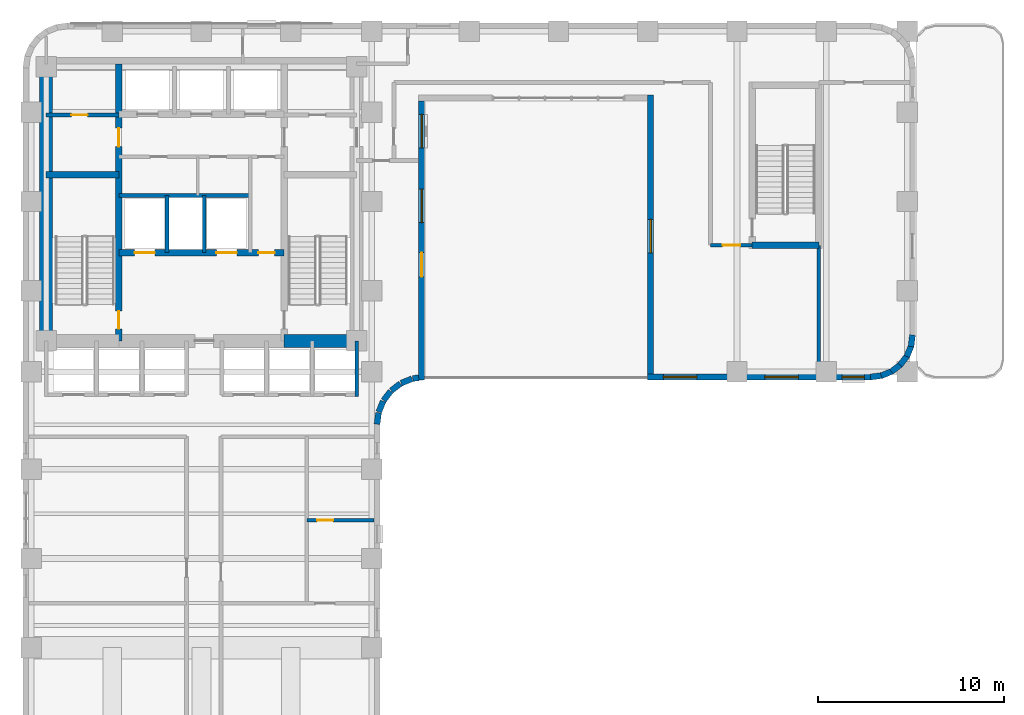
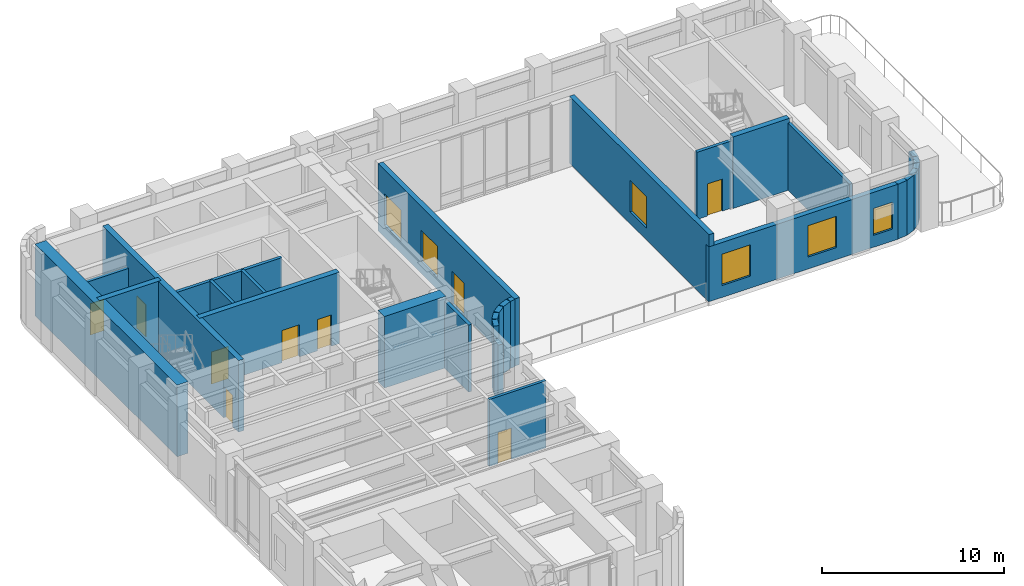
# One storey, part 7 of 12: 29 walls, 9 doors, 6 windows, 15 openings.
"""IFC4 building model written with IfcOpenShell, lengths in metres."""

from ifc_helpers import new_model, si_unit, direction, frame, frame_2d, origin, place, context, subcontext, project, spatial, rectangle, extrude, material, layer, layer_set, type_object, element, fill, save


model = new_model("IFC4")

# Units and contexts
model_context = context("Model", 3, precision=1e-05, world=origin(), true_north=direction((0.0, 1.0)))
body_context = subcontext(model_context, "Body", "Model", "MODEL_VIEW")
ifc_project = project(units=[si_unit("LENGTHUNIT", "METRE"), si_unit("AREAUNIT", "SQUARE_METRE"), si_unit("VOLUMEUNIT", "CUBIC_METRE"), si_unit("PLANEANGLEUNIT", "RADIAN"), si_unit("MASSUNIT", "GRAM", prefix="KILO")], contexts=[model_context])

# Site, building, storey
site_placement = place(None, origin())
site = spatial("IfcSite", under=ifc_project, at=site_placement, CompositionType="ELEMENT")
building_placement = place(site_placement, origin())
building = spatial("IfcBuilding", under=site, at=building_placement, Name="Orvandelia Arch Residences", CompositionType="ELEMENT")
storey_placement = place(building_placement, frame((0.0, 0.0, 97.0)))
storey = spatial("IfcBuildingStorey", under=building, at=storey_placement, Name="L25", CompositionType="ELEMENT", Elevation=97.0)

# Wall, openings, doors
ifc_material_1 = material(Name="Concrete C50/60", Category="concrete")
ifc_layer_1 = layer(ifc_material_1, 0.35009765625, Name="Concrete C50/60", Category="concrete")
ifc_layer_set_1 = layer_set([ifc_layer_1], Name="Concrete C50/60")
wall_type_1 = type_object("IfcWallType", Name="WL-CORE-350", PredefinedType="SHEAR", material=ifc_layer_set_1)
wall_1_placement = place(storey_placement, frame((9.9599609375, 30.89990234375, 0.0), z_axis=(0.0, 0.0, 1.0), x_axis=(0.0, 1.0, 0.0)))
wall_1 = element("IfcWall", 1, at=wall_1_placement, inside=storey, type_object=wall_type_1, Name="Core Shear Wall L25-WEB1", PredefinedType="SHEAR", context=body_context, shape_type="SweptSolid", body=[
    extrude(rectangle(XDim=14.900146484375, YDim=0.35009765625, at=frame_2d((7.4501953125, 0.0))), origin(), (0.0, 0.0, 1.0), 4.800048828125),
])
opening_1_placement = place(wall_1_placement, frame((0.64990234375, 0.0, 0.0)))
opening_1 = element("IfcOpeningElement", 2, at=opening_1_placement, cuts=wall_1, Name="Opening D7", PredefinedType="OPENING", context=body_context, shape_type="SweptSolid", body=[
    extrude(rectangle(XDim=0.949951171875, YDim=2.10009765625, at=frame_2d((0.47509765625, 1.050048828125))), frame((0.0, 0.18505859375, 0.0), z_axis=(0.0, -1.0, 0.0), x_axis=(1.0, 0.0, 0.0)), (0.0, 0.0, 1.0), 0.3701171875),
])
opening_2_placement = place(wall_1_placement, frame((10.449951171875, 0.0, 0.0)))
opening_2 = element("IfcOpeningElement", 3, at=opening_2_placement, cuts=wall_1, Name="Opening D6", PredefinedType="OPENING", context=body_context, shape_type="SweptSolid", body=[
    extrude(rectangle(XDim=1.0, YDim=2.14990234375, at=frame_2d((0.5, 1.074951171875))), frame((0.0, 0.18505859375, 0.0), z_axis=(0.0, -1.0, 0.0), x_axis=(1.0, 0.0, 0.0)), (0.0, 0.0, 1.0), 0.3701171875),
])
ifc_material_2 = material(Name="Smokeproof Painted Steel Fire Door", Category="steel")
door_type_1 = type_object("IfcDoorType", Name="DR-FD60-1000", OperationType="NOTDEFINED", PredefinedType="DOOR", material=ifc_material_2)
door_1_placement = place(opening_2_placement, origin())
door_1 = element("IfcDoor", 4, at=door_1_placement, inside=storey, type_object=door_type_1, Name="High-Rise Lift Hall West Vestibule Door L25", OperationType="SINGLE_SWING_LEFT", OverallHeight=2.14990234375, OverallWidth=1.0, PredefinedType="DOOR", context=body_context, shape_type="SweptSolid", body=[
    extrude(rectangle(XDim=1.0, YDim=2.14990234375, at=frame_2d((0.5, 1.074951171875))), frame((0.0, 0.02490234375, 0.0), z_axis=(0.0, -1.0, 0.0), x_axis=(1.0, 0.0, 0.0)), (0.0, 0.0, 1.0), 0.050048828125),
])
fill(opening_2, door_1)
ifc_material_3 = material(Name="Pressurised Stairwell Fire Door")
door_type_2 = type_object("IfcDoorType", Name="DR-STAIR-950", OperationType="NOTDEFINED", PredefinedType="DOOR", material=ifc_material_3)
door_2_placement = place(opening_1_placement, origin())
door_2 = element("IfcDoor", 5, at=door_2_placement, inside=storey, type_object=door_type_2, Name="Stairwell ST-1 Fire Door L25", OperationType="SINGLE_SWING_LEFT", OverallHeight=2.10009765625, OverallWidth=0.949951171875, PredefinedType="DOOR", context=body_context, shape_type="SweptSolid", body=[
    extrude(rectangle(XDim=0.949951171875, YDim=2.10009765625, at=frame_2d((0.47509765625, 1.050048828125))), frame((0.0, 0.02490234375, 0.0), z_axis=(0.0, -1.0, 0.0), x_axis=(1.0, 0.0, 0.0)), (0.0, 0.0, 1.0), 0.050048828125),
])
fill(opening_1, door_2)

# Wall
wall_2_placement = place(storey_placement, frame((6.050048828125, 39.85009765625, 0.0), z_axis=(0.0, 0.0, 1.0), x_axis=(1.0, 0.0, 0.0)))
element("IfcWall", 6, at=wall_2_placement, inside=storey, type_object=wall_type_1, Name="Core Shear Wall L25-HZ1", PredefinedType="SHEAR", context=body_context, shape_type="SweptSolid", body=[
    extrude(rectangle(XDim=3.909912109375, YDim=0.35009765625, at=frame_2d((1.955078125, 0.0))), origin(), (0.0, 0.0, 1.0), 4.800048828125),
])

# Wall, openings, doors
wall_3_placement = place(storey_placement, frame((9.9599609375, 35.64990234375, 0.0), z_axis=(0.0, 0.0, 1.0), x_axis=(1.0, 0.0, 0.0)))
wall_3 = element("IfcWall", 7, at=wall_3_placement, inside=storey, type_object=wall_type_1, Name="Core Shear Wall L25-HZ3", PredefinedType="SHEAR", context=body_context, shape_type="SweptSolid", body=[
    extrude(rectangle(XDim=8.880126953125, YDim=0.35009765625, at=frame_2d((4.43994140625, 0.0))), origin(), (0.0, 0.0, 1.0), 4.800048828125),
])
opening_3_placement = place(wall_3_placement, frame((0.840087890625, 0.0, 0.0)))
opening_3 = element("IfcOpeningElement", 8, at=opening_3_placement, cuts=wall_3, Name="Opening FLD", PredefinedType="OPENING", context=body_context, shape_type="SweptSolid", body=[
    extrude(rectangle(XDim=1.10009765625, YDim=2.14990234375, at=frame_2d((0.550048828125, 1.074951171875))), frame((0.0, 0.18505859375, 0.0), z_axis=(0.0, -1.0, 0.0), x_axis=(1.0, 0.0, 0.0)), (0.0, 0.0, 1.0), 0.3701171875),
])
opening_4_placement = place(wall_3_placement, frame((5.239990234375, 0.0, 0.0)))
opening_4 = element("IfcOpeningElement", 9, at=opening_4_placement, cuts=wall_3, Name="Opening FLD", PredefinedType="OPENING", context=body_context, shape_type="SweptSolid", body=[
    extrude(rectangle(XDim=1.10009765625, YDim=2.14990234375, at=frame_2d((0.550048828125, 1.074951171875))), frame((0.0, 0.18505859375, 0.0), z_axis=(0.0, -1.0, 0.0), x_axis=(1.0, 0.0, 0.0)), (0.0, 0.0, 1.0), 0.3701171875),
])
opening_5_placement = place(wall_3_placement, frame((7.5, 0.0, 0.0)))
opening_5 = element("IfcOpeningElement", 10, at=opening_5_placement, cuts=wall_3, Name="Opening D5", PredefinedType="OPENING", context=body_context, shape_type="SweptSolid", body=[
    extrude(rectangle(XDim=0.8798828125, YDim=2.10009765625, at=frame_2d((0.43994140625, 1.050048828125))), frame((0.0, 0.18505859375, 0.0), z_axis=(0.0, -1.0, 0.0), x_axis=(1.0, 0.0, 0.0)), (0.0, 0.0, 1.0), 0.3701171875),
])
ifc_material_4 = material(Name="Firefighting Lift Stainless Sliding Door")
door_type_3 = type_object("IfcDoorType", Name="DR-FLFT-1100", OperationType="NOTDEFINED", PredefinedType="DOOR", material=ifc_material_4)
door_3_placement = place(opening_3_placement, origin())
door_3 = element("IfcDoor", 11, at=door_3_placement, inside=storey, type_object=door_type_3, Name="Firefighting Lift Landing Door FLD-FL1-L25", OperationType="SLIDING_TO_LEFT", OverallHeight=2.14990234375, OverallWidth=1.10009765625, PredefinedType="DOOR", context=body_context, shape_type="SweptSolid", body=[
    extrude(rectangle(XDim=1.10009765625, YDim=2.14990234375, at=frame_2d((0.550048828125, 1.074951171875))), frame((0.0, 0.02490234375, 0.0), z_axis=(0.0, -1.0, 0.0), x_axis=(1.0, 0.0, 0.0)), (0.0, 0.0, 1.0), 0.050048828125),
])
fill(opening_3, door_3)
door_4_placement = place(opening_4_placement, origin())
door_4 = element("IfcDoor", 12, at=door_4_placement, inside=storey, type_object=door_type_3, Name="Firefighting Lift Landing Door FLD-FL2-L25", OperationType="SLIDING_TO_RIGHT", OverallHeight=2.14990234375, OverallWidth=1.10009765625, PredefinedType="DOOR", context=body_context, shape_type="SweptSolid", body=[
    extrude(rectangle(XDim=1.10009765625, YDim=2.14990234375, at=frame_2d((0.550048828125, 1.074951171875))), frame((0.0, 0.02490234375, 0.0), z_axis=(0.0, -1.0, 0.0), x_axis=(1.0, 0.0, 0.0)), (0.0, 0.0, 1.0), 0.050048828125),
])
fill(opening_4, door_4)
ifc_material_5 = material(Name="Painted Galvanised Steel Service Door", Category="steel")
door_type_4 = type_object("IfcDoorType", Name="DR-SRV-880", OperationType="NOTDEFINED", PredefinedType="DOOR", material=ifc_material_5)
door_5_placement = place(opening_5_placement, origin())
door_5 = element("IfcDoor", 13, at=door_5_placement, inside=storey, type_object=door_type_4, Name="Core Stairway Passage South Fire Door L25", OperationType="SINGLE_SWING_LEFT", OverallHeight=2.10009765625, OverallWidth=0.8798828125, PredefinedType="DOOR", context=body_context, shape_type="SweptSolid", body=[
    extrude(rectangle(XDim=0.8798828125, YDim=2.10009765625, at=frame_2d((0.43994140625, 1.050048828125))), frame((0.0, 0.02490234375, 0.0), z_axis=(0.0, -1.0, 0.0), x_axis=(1.0, 0.0, 0.0)), (0.0, 0.0, 1.0), 0.050048828125),
])
fill(opening_5, door_5)

# Walls
wall_4_placement = place(storey_placement, frame((44.02001953125, 36.0400390625, 0.0), z_axis=(0.0, 0.0, 1.0), x_axis=(1.0, 0.0, 0.0)))
element("IfcWall", 14, at=wall_4_placement, inside=storey, type_object=wall_type_1, Name="East Stair Core Shear Wall L25-S", PredefinedType="SHEAR", context=body_context, shape_type="SweptSolid", body=[
    extrude(rectangle(XDim=3.580078125, YDim=0.35009765625, at=frame_2d((1.7900390625, 0.0))), origin(), (0.0, 0.0, 1.0), 4.800048828125),
])
ifc_material_6 = material(Name="Concrete C80/95", Category="concrete")
ifc_layer_2 = layer(ifc_material_6, 0.699951171875, Name="Concrete C80/95", Category="concrete")
ifc_layer_set_2 = layer_set([ifc_layer_2], Name="Concrete C80/95")
wall_type_2 = type_object("IfcWallType", Name="WL-CORE-700", PredefinedType="SHEAR", material=ifc_layer_set_2)
wall_5_placement = place(storey_placement, frame((6.050048828125, 30.550048828125, 0.0), z_axis=(0.0, 0.0, 1.0), x_axis=(0.0, 1.0, 0.0)))
element("IfcWall", 15, at=wall_5_placement, inside=storey, type_object=wall_type_2, Name="Core Shear Wall L25-W", PredefinedType="SHEAR", context=body_context, shape_type="SweptSolid", body=[
    extrude(rectangle(XDim=15.599853515625, YDim=0.699951171875, at=frame_2d((7.7998046875, 0.0))), origin(), (0.0, 0.0, 1.0), 4.800048828125),
])
wall_6_placement = place(storey_placement, frame((18.840087890625, 30.89990234375, 0.0), z_axis=(0.0, 0.0, 1.0), x_axis=(1.0, 0.0, 0.0)))
element("IfcWall", 16, at=wall_6_placement, inside=storey, type_object=wall_type_2, Name="Core Shear Wall L25-SE", PredefinedType="SHEAR", context=body_context, shape_type="SweptSolid", body=[
    extrude(rectangle(XDim=3.909912109375, YDim=0.699951171875, at=frame_2d((1.955078125, 0.0))), origin(), (0.0, 0.0, 1.0), 4.800048828125),
])

# Wall, opening, door
ifc_material_7 = material(Name="Fire-Rated Corridor Partition")
ifc_layer_3 = layer(ifc_material_7, 0.199951171875, Name="Fire-Rated Corridor Partition")
ifc_layer_set_3 = layer_set([ifc_layer_3], Name="Fire-Rated Corridor Partition")
wall_type_3 = type_object("IfcWallType", Name="WL-CORR-200", PredefinedType="PARTITIONING", material=ifc_layer_set_3)
wall_7_placement = place(storey_placement, frame((41.780029296875, 36.050048828125, 0.0), z_axis=(0.0, 0.0, 1.0), x_axis=(1.0, 0.0, 0.0)))
wall_7 = element("IfcWall", 17, at=wall_7_placement, inside=storey, type_object=wall_type_3, Name="Interior Partition Wall WL-L25-SKESS", PredefinedType="PARTITIONING", context=body_context, shape_type="SweptSolid", body=[
    extrude(rectangle(XDim=2.239990234375, YDim=0.199951171875, at=frame_2d((1.1201171875, 0.0))), origin(), (0.0, 0.0, 1.0), 4.5),
])
opening_6_placement = place(wall_7_placement, frame((0.64990234375, 0.0, 0.0)))
opening_6 = element("IfcOpeningElement", 18, at=opening_6_placement, cuts=wall_7, Name="Opening D2", PredefinedType="OPENING", context=body_context, shape_type="SweptSolid", body=[
    extrude(rectangle(XDim=0.949951171875, YDim=2.14990234375, at=frame_2d((0.47509765625, 1.074951171875))), frame((0.0, 0.10986328125, 0.0), z_axis=(0.0, -1.0, 0.0), x_axis=(1.0, 0.0, 0.0)), (0.0, 0.0, 1.0), 0.219970703125),
])
ifc_material_8 = material(Name="Solid-Core Timber Interior Fire Door", Category="wood")
door_type_5 = type_object("IfcDoorType", Name="DR-APT-950", OperationType="NOTDEFINED", PredefinedType="DOOR", material=ifc_material_8)
door_6_placement = place(opening_6_placement, origin())
door_6 = element("IfcDoor", 19, at=door_6_placement, inside=storey, type_object=door_type_5, Name="DR-L25-SKS3", OperationType="SINGLE_SWING_LEFT", OverallHeight=2.14990234375, OverallWidth=0.949951171875, PredefinedType="DOOR", context=body_context, shape_type="SweptSolid", body=[
    extrude(rectangle(XDim=0.949951171875, YDim=2.14990234375, at=frame_2d((0.47509765625, 1.074951171875))), frame((0.0, 0.02490234375, 0.0), z_axis=(0.0, -1.0, 0.0), x_axis=(1.0, 0.0, 0.0)), (0.0, 0.0, 1.0), 0.050048828125),
])
fill(opening_6, door_6)

# Walls
ifc_material_9 = material(Name="Concrete C40/50", Category="concrete")
ifc_layer_4 = layer(ifc_material_9, 0.199951171875, Name="Concrete C40/50", Category="concrete")
ifc_layer_set_4 = layer_set([ifc_layer_4], Name="Concrete C40/50")
wall_type_4 = type_object("IfcWallType", Name="WL-DEM-200", PredefinedType="SOLIDWALL", material=ifc_layer_set_4)
wall_8_placement = place(storey_placement, frame((47.60009765625, 29.1201171875, 0.0), z_axis=(0.0, 0.0, 1.0), x_axis=(0.0, 1.0, 0.0)))
element("IfcWall", 20, at=wall_8_placement, inside=storey, type_object=wall_type_4, Name="Interior Partition Wall WL-L25-SKS3E", PredefinedType="SOLIDWALL", context=body_context, shape_type="SweptSolid", body=[
    extrude(rectangle(XDim=6.919921875, YDim=0.199951171875, at=frame_2d((3.4599609375, 0.0))), origin(), (0.0, 0.0, 1.0), 4.5),
])
ifc_material_10 = material(Name="Precast concrete C40/50", Category="concrete")
ifc_layer_5 = layer(ifc_material_10, 0.320068359375, Name="Precast concrete C40/50", Category="concrete")
ifc_layer_set_5 = layer_set([ifc_layer_5], Name="Precast concrete C40/50")
wall_type_5 = type_object("IfcWallType", Name="WL-EXT-STONE-320", PredefinedType="STANDARD", material=ifc_layer_set_5)
wall_9_placement = place(storey_placement, frame((52.641357421875, 31.220947265625, 0.0), z_axis=(0.0, 0.0, 1.0), x_axis=(-0.130504898859, -0.991447664465, 0.0)))
element("IfcWall", 21, at=wall_9_placement, inside=storey, type_object=wall_type_5, Name="Coral-Limestone Precast Facade Wall L25-015", PredefinedType="STANDARD", context=body_context, shape_type="SweptSolid", body=[
    extrude(rectangle(XDim=0.626708984375, YDim=0.320068359375, at=frame_2d((0.3134765625, 0.0))), origin(), (0.0, 0.0, 1.0), 3.679931640625),
])
wall_10_placement = place(storey_placement, frame((52.5703125, 30.639892578125, 0.0), z_axis=(0.0, 0.0, 1.0), x_axis=(-0.382455093999, -0.923974080304, 0.0)))
element("IfcWall", 22, at=wall_10_placement, inside=storey, type_object=wall_type_5, Name="Coral-Limestone Precast Facade Wall L25-016", PredefinedType="STANDARD", context=body_context, shape_type="SweptSolid", body=[
    extrude(rectangle(XDim=0.626220703125, YDim=0.320068359375, at=frame_2d((0.31298828125, 0.0))), origin(), (0.0, 0.0, 1.0), 3.679931640625),
])
wall_11_placement = place(storey_placement, frame((52.3515625, 30.097412109375, 0.0), z_axis=(0.0, 0.0, 1.0), x_axis=(-0.608693302629, -0.793405610854, 0.0)))
element("IfcWall", 23, at=wall_11_placement, inside=storey, type_object=wall_type_5, Name="Coral-Limestone Precast Facade Wall L25-017", PredefinedType="STANDARD", context=body_context, shape_type="SweptSolid", body=[
    extrude(rectangle(XDim=0.62646484375, YDim=0.320068359375, at=frame_2d((0.313232421875, 0.0))), origin(), (0.0, 0.0, 1.0), 3.679931640625),
])
wall_12_placement = place(storey_placement, frame((51.999755859375, 29.6298828125, 0.0), z_axis=(0.0, 0.0, 1.0), x_axis=(-0.7932174212, -0.608938521285, 0.0)))
element("IfcWall", 24, at=wall_12_placement, inside=storey, type_object=wall_type_5, Name="Coral-Limestone Precast Facade Wall L25-018", PredefinedType="STANDARD", context=body_context, shape_type="SweptSolid", body=[
    extrude(rectangle(XDim=0.626708984375, YDim=0.320068359375, at=frame_2d((0.3134765625, 0.0))), origin(), (0.0, 0.0, 1.0), 3.679931640625),
])
for number, where, z_axis, x_axis, name in (
    (25, (51.538818359375, 29.269287109375, 0.0), (0.0, 0.0, 1.0), (-0.92389335771, -0.382650053678, 0.0), "Coral-Limestone Precast Facade Wall L25-019"),
    (26, (51.000244140625, 29.040283203125, 0.0), (0.0, 0.0, 1.0), (-0.9914410257, -0.130555323746, 0.0), "Coral-Limestone Precast Facade Wall L25-020"),
):
    element("IfcWall", number, at=place(storey_placement, frame(where, z_axis=z_axis, x_axis=x_axis)), inside=storey, type_object=wall_type_5, Name=name, PredefinedType="STANDARD", context=body_context, shape_type="SweptSolid", body=[
        extrude(rectangle(XDim=0.62646484375, YDim=0.320068359375, at=frame_2d((0.313232421875, 0.0))), origin(), (0.0, 0.0, 1.0), 3.679931640625),
    ])

# Wall, openings, windows
wall_13_placement = place(storey_placement, frame((50.39990234375, 28.9599609375, 0.0), z_axis=(0.0, 0.0, 1.0), x_axis=(-1.0, 0.0, 0.0)))
wall_13 = element("IfcWall", 27, at=wall_13_placement, inside=storey, type_object=wall_type_5, Name="Coral-Limestone Precast Facade Wall L25-021", PredefinedType="STANDARD", context=body_context, shape_type="SweptSolid", body=[
    extrude(rectangle(XDim=12.0, YDim=0.320068359375, at=frame_2d((6.0, 0.0))), origin(), (0.0, 0.0, 1.0), 3.679931640625),
])
opening_7_placement = place(wall_13_placement, frame((9.360107421875, 0.0, 0.800048828125)))
opening_7 = element("IfcOpeningElement", 28, at=opening_7_placement, cuts=wall_13, Name="Opening W1", PredefinedType="OPENING", context=body_context, shape_type="SweptSolid", body=[
    extrude(rectangle(XDim=1.800048828125, YDim=2.10009765625, at=frame_2d((0.89990234375, 1.050048828125))), frame((0.0, 0.169921875, 0.0), z_axis=(0.0, -1.0, 0.0), x_axis=(1.0, 0.0, 0.0)), (0.0, 0.0, 1.0), 0.340087890625),
])
opening_8_placement = place(wall_13_placement, frame((0.344970703125, 0.0, 0.800048828125)))
opening_8 = element("IfcOpeningElement", 29, at=opening_8_placement, cuts=wall_13, Name="Opening W3", PredefinedType="OPENING", context=body_context, shape_type="SweptSolid", body=[
    extrude(rectangle(XDim=1.199951171875, YDim=1.800048828125, at=frame_2d((0.60009765625, 0.89990234375))), frame((0.0, 0.169921875, 0.0), z_axis=(0.0, -1.0, 0.0), x_axis=(1.0, 0.0, 0.0)), (0.0, 0.0, 1.0), 0.340087890625),
])
opening_9_placement = place(wall_13_placement, frame((3.89990234375, 0.0, 0.800048828125)))
opening_9 = element("IfcOpeningElement", 30, at=opening_9_placement, cuts=wall_13, Name="Opening W1", PredefinedType="OPENING", context=body_context, shape_type="SweptSolid", body=[
    extrude(rectangle(XDim=1.800048828125, YDim=2.10009765625, at=frame_2d((0.89990234375, 1.050048828125))), frame((0.0, 0.169921875, 0.0), z_axis=(0.0, -1.0, 0.0), x_axis=(1.0, 0.0, 0.0)), (0.0, 0.0, 1.0), 0.340087890625),
])
ifc_material_11 = material(Name="Tempered Low-E Insulated Glazing", Category="glass")
window_type_1 = type_object("IfcWindowType", Name="WIN-RES-1200x1800", PartitioningType="SINGLE_PANEL", PredefinedType="WINDOW", material=ifc_material_11)
window_1_placement = place(opening_8_placement, origin())
window_1 = element("IfcWindow", 31, at=window_1_placement, inside=storey, type_object=window_type_1, Name="Recessed Punched Window L25-006", OverallHeight=1.800048828125, OverallWidth=1.199951171875, PartitioningType="SINGLE_PANEL", PredefinedType="WINDOW", context=body_context, shape_type="SweptSolid", body=[
    extrude(rectangle(XDim=1.199951171875, YDim=1.800048828125, at=frame_2d((0.60009765625, 0.89990234375))), frame((0.0, 0.030029296875, 0.0), z_axis=(0.0, -1.0, 0.0), x_axis=(1.0, 0.0, 0.0)), (0.0, 0.0, 1.0), 0.06005859375),
])
fill(opening_8, window_1)
window_type_2 = type_object("IfcWindowType", Name="WIN-RES-1800x2100", PartitioningType="SINGLE_PANEL", PredefinedType="WINDOW", material=ifc_material_11)
window_2_placement = place(opening_7_placement, origin())
window_2 = element("IfcWindow", 32, at=window_2_placement, inside=storey, type_object=window_type_2, Name="Recessed Punched Window L25-005", OverallHeight=2.10009765625, OverallWidth=1.800048828125, PartitioningType="SINGLE_PANEL", PredefinedType="WINDOW", context=body_context, shape_type="SweptSolid", body=[
    extrude(rectangle(XDim=1.800048828125, YDim=2.10009765625, at=frame_2d((0.89990234375, 1.050048828125))), frame((0.0, 0.030029296875, 0.0), z_axis=(0.0, -1.0, 0.0), x_axis=(1.0, 0.0, 0.0)), (0.0, 0.0, 1.0), 0.06005859375),
])
fill(opening_7, window_2)
window_3_placement = place(opening_9_placement, origin())
window_3 = element("IfcWindow", 33, at=window_3_placement, inside=storey, type_object=window_type_2, Name="Recessed Punched Window L25-007", OverallHeight=2.10009765625, OverallWidth=1.800048828125, PartitioningType="SINGLE_PANEL", PredefinedType="WINDOW", context=body_context, shape_type="SweptSolid", body=[
    extrude(rectangle(XDim=1.800048828125, YDim=2.10009765625, at=frame_2d((0.89990234375, 1.050048828125))), frame((0.0, 0.030029296875, 0.0), z_axis=(0.0, -1.0, 0.0), x_axis=(1.0, 0.0, 0.0)), (0.0, 0.0, 1.0), 0.06005859375),
])
fill(opening_9, window_3)

# Wall, opening, window
wall_14_placement = place(storey_placement, frame((38.56005859375, 28.800048828125, 0.0), z_axis=(0.0, 0.0, 1.0), x_axis=(0.0, 1.0, 0.0)))
wall_14 = element("IfcWall", 34, at=wall_14_placement, inside=storey, type_object=wall_type_5, Name="Coral-Limestone Precast Facade Wall L25-022", PredefinedType="STANDARD", context=body_context, shape_type="SweptSolid", body=[
    extrude(rectangle(XDim=15.320068359375, YDim=0.320068359375, at=frame_2d((7.66015625, 0.0))), origin(), (0.0, 0.0, 1.0), 4.5),
])
opening_10_placement = place(wall_14_placement, frame((6.840087890625, 0.0, 0.800048828125)))
opening_10 = element("IfcOpeningElement", 35, at=opening_10_placement, cuts=wall_14, Name="Opening W1", PredefinedType="OPENING", context=body_context, shape_type="SweptSolid", body=[
    extrude(rectangle(XDim=1.800048828125, YDim=2.10009765625, at=frame_2d((0.89990234375, 1.050048828125))), frame((0.0, 0.169921875, 0.0), z_axis=(0.0, -1.0, 0.0), x_axis=(1.0, 0.0, 0.0)), (0.0, 0.0, 1.0), 0.340087890625),
])
window_4_placement = place(opening_10_placement, origin())
window_4 = element("IfcWindow", 36, at=window_4_placement, inside=storey, type_object=window_type_2, Name="Recessed Punched Window L25-008", OverallHeight=2.10009765625, OverallWidth=1.800048828125, PartitioningType="SINGLE_PANEL", PredefinedType="WINDOW", context=body_context, shape_type="SweptSolid", body=[
    extrude(rectangle(XDim=1.800048828125, YDim=2.10009765625, at=frame_2d((0.89990234375, 1.050048828125))), frame((0.0, 0.030029296875, 0.0), z_axis=(0.0, -1.0, 0.0), x_axis=(1.0, 0.0, 0.0)), (0.0, 0.0, 1.0), 0.06005859375),
])
fill(opening_10, window_4)

# Wall, openings, door, windows
wall_15_placement = place(storey_placement, frame((26.239990234375, 43.800048828125, 0.0), z_axis=(0.0, 0.0, 1.0), x_axis=(0.0, -1.0, 0.0)))
wall_15 = element("IfcWall", 37, at=wall_15_placement, inside=storey, type_object=wall_type_5, Name="Coral-Limestone Precast Facade Wall L25-025", PredefinedType="STANDARD", context=body_context, shape_type="SweptSolid", body=[
    extrude(rectangle(XDim=15.0, YDim=0.320068359375, at=frame_2d((7.5, 0.0))), origin(), (0.0, 0.0, 1.0), 4.5),
])
opening_11_placement = place(wall_15_placement, frame((8.14990234375, 0.0, 0.0)))
opening_11 = element("IfcOpeningElement", 38, at=opening_11_placement, cuts=wall_15, Name="Opening TD1", PredefinedType="OPENING", context=body_context, shape_type="SweptSolid", body=[
    extrude(rectangle(XDim=1.300048828125, YDim=2.199951171875, at=frame_2d((0.64990234375, 1.10009765625))), frame((0.0, 0.169921875, 0.0), z_axis=(0.0, -1.0, 0.0), x_axis=(1.0, 0.0, 0.0)), (0.0, 0.0, 1.0), 0.340087890625),
])
opening_12_placement = place(wall_15_placement, frame((0.719970703125, 0.0, 0.800048828125)))
opening_12 = element("IfcOpeningElement", 39, at=opening_12_placement, cuts=wall_15, Name="Opening W1", PredefinedType="OPENING", context=body_context, shape_type="SweptSolid", body=[
    extrude(rectangle(XDim=1.800048828125, YDim=2.10009765625, at=frame_2d((0.89990234375, 1.050048828125))), frame((0.0, 0.169921875, 0.0), z_axis=(0.0, -1.0, 0.0), x_axis=(1.0, 0.0, 0.0)), (0.0, 0.0, 1.0), 0.340087890625),
])
opening_13_placement = place(wall_15_placement, frame((4.735107421875, 0.0, 0.800048828125)))
opening_13 = element("IfcOpeningElement", 40, at=opening_13_placement, cuts=wall_15, Name="Opening W1", PredefinedType="OPENING", context=body_context, shape_type="SweptSolid", body=[
    extrude(rectangle(XDim=1.800048828125, YDim=2.10009765625, at=frame_2d((0.89990234375, 1.050048828125))), frame((0.0, 0.169921875, 0.0), z_axis=(0.0, -1.0, 0.0), x_axis=(1.0, 0.0, 0.0)), (0.0, 0.0, 1.0), 0.340087890625),
])
ifc_material_12 = material(Name="Thermally Broken Aluminium Glazed Door", Category="aluminium")
door_type_6 = type_object("IfcDoorType", Name="DR-TERR-GLAZ-1300", OperationType="NOTDEFINED", PredefinedType="DOOR", material=ifc_material_12)
door_7_placement = place(opening_11_placement, origin())
door_7 = element("IfcDoor", 41, at=door_7_placement, inside=storey, type_object=door_type_6, Name="Glazed Sky-Terrace Access Door TERR-L25-WAIST", OperationType="SINGLE_SWING_LEFT", OverallHeight=2.199951171875, OverallWidth=1.300048828125, PredefinedType="DOOR", context=body_context, shape_type="SweptSolid", body=[
    extrude(rectangle(XDim=1.300048828125, YDim=2.199951171875, at=frame_2d((0.64990234375, 1.10009765625))), frame((0.0, 0.02490234375, 0.0), z_axis=(0.0, -1.0, 0.0), x_axis=(1.0, 0.0, 0.0)), (0.0, 0.0, 1.0), 0.050048828125),
])
fill(opening_11, door_7)
window_5_placement = place(opening_12_placement, origin())
window_5 = element("IfcWindow", 42, at=window_5_placement, inside=storey, type_object=window_type_2, Name="Recessed Punched Window L25-009", OverallHeight=2.10009765625, OverallWidth=1.800048828125, PartitioningType="SINGLE_PANEL", PredefinedType="WINDOW", context=body_context, shape_type="SweptSolid", body=[
    extrude(rectangle(XDim=1.800048828125, YDim=2.10009765625, at=frame_2d((0.89990234375, 1.050048828125))), frame((0.0, 0.030029296875, 0.0), z_axis=(0.0, -1.0, 0.0), x_axis=(1.0, 0.0, 0.0)), (0.0, 0.0, 1.0), 0.06005859375),
])
fill(opening_12, window_5)
window_6_placement = place(opening_13_placement, origin())
window_6 = element("IfcWindow", 43, at=window_6_placement, inside=storey, type_object=window_type_2, Name="Recessed Punched Window L25-010", OverallHeight=2.10009765625, OverallWidth=1.800048828125, PartitioningType="SINGLE_PANEL", PredefinedType="WINDOW", context=body_context, shape_type="SweptSolid", body=[
    extrude(rectangle(XDim=1.800048828125, YDim=2.10009765625, at=frame_2d((0.89990234375, 1.050048828125))), frame((0.0, 0.030029296875, 0.0), z_axis=(0.0, -1.0, 0.0), x_axis=(1.0, 0.0, 0.0)), (0.0, 0.0, 1.0), 0.06005859375),
])
fill(opening_13, window_6)

# Walls
wall_16_placement = place(storey_placement, frame((26.081787109375, 28.91943359375, 0.0), z_axis=(0.0, 0.0, 1.0), x_axis=(-0.991512688813, -0.130009953168, 0.0)))
element("IfcWall", 44, at=wall_16_placement, inside=storey, type_object=wall_type_5, Name="Coral-Limestone Precast Facade Wall L25-026", PredefinedType="STANDARD", context=body_context, shape_type="SweptSolid", body=[
    extrude(rectangle(XDim=0.32666015625, YDim=0.320068359375, at=frame_2d((0.163330078125, 0.0))), origin(), (0.0, 0.0, 1.0), 4.5),
])
wall_17_placement = place(storey_placement, frame((25.717529296875, 28.865966796875, 0.0), z_axis=(0.0, 0.0, 1.0), x_axis=(-0.923836271867, -0.382787856107, 0.0)))
element("IfcWall", 45, at=wall_17_placement, inside=storey, type_object=wall_type_5, Name="Coral-Limestone Precast Facade Wall L25-027", PredefinedType="STANDARD", context=body_context, shape_type="SweptSolid", body=[
    extrude(rectangle(XDim=0.626220703125, YDim=0.320068359375, at=frame_2d((0.31298828125, 0.0))), origin(), (0.0, 0.0, 1.0), 4.5),
])
for number, where, z_axis, x_axis, name in (
    (46, (25.1025390625, 28.60546875, 0.0), (0.0, 0.0, 1.0), (-0.793405610854, -0.608693302629, 0.0), "Coral-Limestone Precast Facade Wall L25-028"),
    (47, (24.575927734375, 28.194580078125, 0.0), (0.0, 0.0, 1.0), (-0.608693302629, -0.793405610854, 0.0), "Coral-Limestone Precast Facade Wall L25-029"),
):
    element("IfcWall", number, at=place(storey_placement, frame(where, z_axis=z_axis, x_axis=x_axis)), inside=storey, type_object=wall_type_5, Name=name, PredefinedType="STANDARD", context=body_context, shape_type="SweptSolid", body=[
        extrude(rectangle(XDim=0.62646484375, YDim=0.320068359375, at=frame_2d((0.313232421875, 0.0))), origin(), (0.0, 0.0, 1.0), 4.5),
    ])
wall_18_placement = place(storey_placement, frame((24.173583984375, 27.6611328125, 0.0), z_axis=(0.0, 0.0, 1.0), x_axis=(-0.382455093999, -0.923974080304, 0.0)))
element("IfcWall", 48, at=wall_18_placement, inside=storey, type_object=wall_type_5, Name="Coral-Limestone Precast Facade Wall L25-030", PredefinedType="STANDARD", context=body_context, shape_type="SweptSolid", body=[
    extrude(rectangle(XDim=0.626220703125, YDim=0.320068359375, at=frame_2d((0.31298828125, 0.0))), origin(), (0.0, 0.0, 1.0), 4.5),
])
wall_19_placement = place(storey_placement, frame((23.923095703125, 27.0419921875, 0.0), z_axis=(0.0, 0.0, 1.0), x_axis=(-0.130555323746, -0.9914410257, 0.0)))
element("IfcWall", 49, at=wall_19_placement, inside=storey, type_object=wall_type_5, Name="Coral-Limestone Precast Facade Wall L25-031", PredefinedType="STANDARD", context=body_context, shape_type="SweptSolid", body=[
    extrude(rectangle(XDim=0.62646484375, YDim=0.320068359375, at=frame_2d((0.313232421875, 0.0))), origin(), (0.0, 0.0, 1.0), 3.679931640625),
])
ifc_material_13 = material(Name="Fire-Rated Shaft Enclosure Wall")
ifc_layer_6 = layer(ifc_material_13, 0.199951171875, Name="Fire-Rated Shaft Enclosure Wall")
ifc_layer_set_6 = layer_set([ifc_layer_6], Name="Fire-Rated Shaft Enclosure Wall")
wall_type_6 = type_object("IfcWallType", Name="WL-SHAFT-200", PredefinedType="POLYGONAL", material=ifc_layer_set_6)
wall_20_placement = place(storey_placement, frame((9.9599609375, 38.719970703125, 0.0), z_axis=(0.0, 0.0, 1.0), x_axis=(1.0, 0.0, 0.0)))
element("IfcWall", 50, at=wall_20_placement, inside=storey, type_object=wall_type_6, Name="Interior Partition Wall WL-L25-FLN", PredefinedType="POLYGONAL", context=body_context, shape_type="SweptSolid", body=[
    extrude(rectangle(XDim=7.06005859375, YDim=0.199951171875, at=frame_2d((3.530029296875, 0.0))), origin(), (0.0, 0.0, 1.0), 4.5),
])
for number, where, z_axis, x_axis, name in (
    (51, (12.550048828125, 35.64990234375, 0.0), (0.0, 0.0, 1.0), (0.0, 1.0, 0.0), "Interior Partition Wall WL-L25-FLM1"),
    (52, (14.550048828125, 35.64990234375, 0.0), (0.0, 0.0, 1.0), (0.0, 1.0, 0.0), "Interior Partition Wall WL-L25-FLM2"),
):
    element("IfcWall", number, at=place(storey_placement, frame(where, z_axis=z_axis, x_axis=x_axis)), inside=storey, type_object=wall_type_6, Name=name, PredefinedType="POLYGONAL", context=body_context, shape_type="SweptSolid", body=[
        extrude(rectangle(XDim=3.070068359375, YDim=0.199951171875, at=frame_2d((1.53515625, 0.0))), origin(), (0.0, 0.0, 1.0), 4.5),
    ])

# Wall, opening, door
wall_21_placement = place(storey_placement, frame((6.050048828125, 43.050048828125, 0.0), z_axis=(0.0, 0.0, 1.0), x_axis=(1.0, 0.0, 0.0)))
wall_21 = element("IfcWall", 53, at=wall_21_placement, inside=storey, type_object=wall_type_6, Name="Interior Partition Wall WL-L25-HLW-N", PredefinedType="POLYGONAL", context=body_context, shape_type="SweptSolid", body=[
    extrude(rectangle(XDim=3.909912109375, YDim=0.199951171875, at=frame_2d((1.955078125, 0.0))), origin(), (0.0, 0.0, 1.0), 3.679931640625),
])
opening_14_placement = place(wall_21_placement, frame((1.35009765625, 0.0, 0.0)))
opening_14 = element("IfcOpeningElement", 54, at=opening_14_placement, cuts=wall_21, Name="Opening D5", PredefinedType="OPENING", context=body_context, shape_type="SweptSolid", body=[
    extrude(rectangle(XDim=0.8798828125, YDim=2.10009765625, at=frame_2d((0.43994140625, 1.050048828125))), frame((0.0, 0.10986328125, 0.0), z_axis=(0.0, -1.0, 0.0), x_axis=(1.0, 0.0, 0.0)), (0.0, 0.0, 1.0), 0.219970703125),
])
door_8_placement = place(opening_14_placement, origin())
door_8 = element("IfcDoor", 55, at=door_8_placement, inside=storey, type_object=door_type_4, Name="Riser Service Door L25", OperationType="SINGLE_SWING_RIGHT", OverallHeight=2.10009765625, OverallWidth=0.8798828125, PredefinedType="DOOR", context=body_context, shape_type="SweptSolid", body=[
    extrude(rectangle(XDim=0.8798828125, YDim=2.10009765625, at=frame_2d((0.43994140625, 1.050048828125))), frame((0.0, 0.02490234375, 0.0), z_axis=(0.0, -1.0, 0.0), x_axis=(1.0, 0.0, 0.0)), (0.0, 0.0, 1.0), 0.050048828125),
])
fill(opening_14, door_8)

# Wall
wall_22_placement = place(storey_placement, frame((22.75, 27.89990234375, 0.0), z_axis=(0.0, 0.0, 1.0), x_axis=(0.0, 1.0, 0.0)))
element("IfcWall", 56, at=wall_22_placement, inside=storey, type_object=wall_type_6, Name="Interior Partition Wall WL-L25-BNKM-E", PredefinedType="POLYGONAL", context=body_context, shape_type="SweptSolid", body=[
    extrude(rectangle(XDim=3.0, YDim=0.199951171875, at=frame_2d((1.5, 0.0))), origin(), (0.0, 0.0, 1.0), 4.5),
])

# Wall, opening, door
ifc_material_14 = material(Name="Moisture-Resistant Plumbing Wall")
ifc_layer_7 = layer(ifc_material_14, 0.179931640625, Name="Moisture-Resistant Plumbing Wall")
ifc_layer_set_7 = layer_set([ifc_layer_7], Name="Moisture-Resistant Plumbing Wall")
wall_type_7 = type_object("IfcWallType", Name="WL-WET-180", PredefinedType="PLUMBINGWALL", material=ifc_layer_set_7)
wall_23_placement = place(storey_placement, frame((20.070068359375, 21.25, 0.0), z_axis=(0.0, 0.0, 1.0), x_axis=(1.0, 0.0, 0.0)))
wall_23 = element("IfcWall", 57, at=wall_23_placement, inside=storey, type_object=wall_type_7, Name="Interior Partition Wall WL-L25-SKD4", PredefinedType="PLUMBINGWALL", context=body_context, shape_type="SweptSolid", body=[
    extrude(rectangle(XDim=3.60986328125, YDim=0.179931640625, at=frame_2d((1.804931640625, 0.0))), origin(), (0.0, 0.0, 1.0), 4.5),
])
opening_15_placement = place(wall_23_placement, frame((0.550048828125, 0.0, 0.0)))
opening_15 = element("IfcOpeningElement", 58, at=opening_15_placement, cuts=wall_23, Name="Opening D4", PredefinedType="OPENING", context=body_context, shape_type="SweptSolid", body=[
    extrude(rectangle(XDim=0.860107421875, YDim=2.10009765625, at=frame_2d((0.43017578125, 1.050048828125))), frame((0.0, 0.10009765625, 0.0), z_axis=(0.0, -1.0, 0.0), x_axis=(1.0, 0.0, 0.0)), (0.0, 0.0, 1.0), 0.199951171875),
])
ifc_material_15 = material(Name="Moisture-Sealed Timber Bathroom Door", Category="wood")
door_type_7 = type_object("IfcDoorType", Name="DR-WET-900", OperationType="NOTDEFINED", PredefinedType="DOOR", material=ifc_material_15)
door_9_placement = place(opening_15_placement, origin())
door_9 = element("IfcDoor", 59, at=door_9_placement, inside=storey, type_object=door_type_7, Name="DR-L25-SKWCP", OperationType="SINGLE_SWING_RIGHT", OverallHeight=2.10009765625, OverallWidth=0.860107421875, PredefinedType="DOOR", context=body_context, shape_type="SweptSolid", body=[
    extrude(rectangle(XDim=0.860107421875, YDim=2.10009765625, at=frame_2d((0.43017578125, 1.050048828125))), frame((0.0, 0.02490234375, 0.0), z_axis=(0.0, -1.0, 0.0), x_axis=(1.0, 0.0, 0.0)), (0.0, 0.0, 1.0), 0.050048828125),
])
fill(opening_15, door_9)

save(model, "model.ifc")
